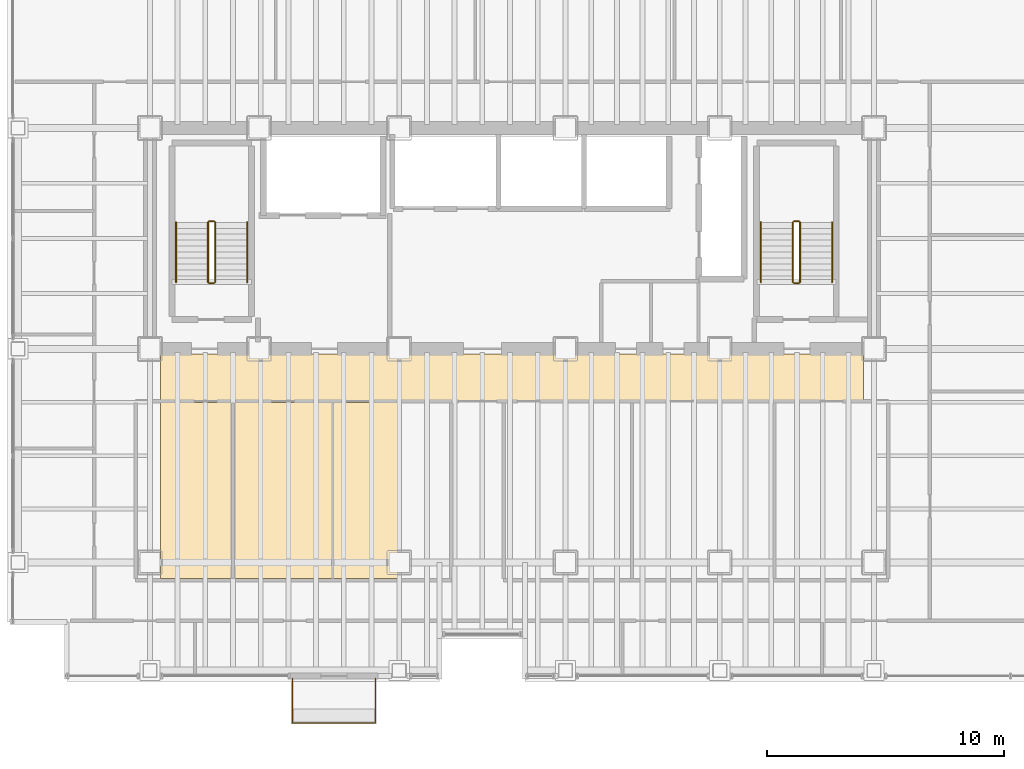
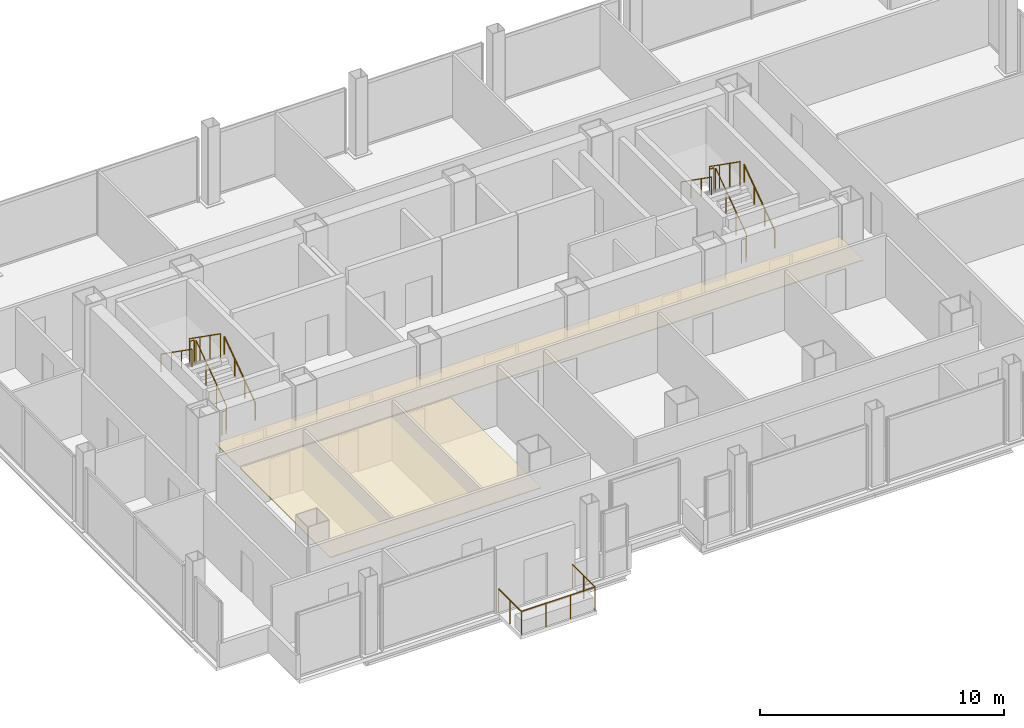
# One storey, part 20 of 20: 13 railings, 2 coverings.
"""IFC4 building model written with IfcOpenShell, lengths in metres."""

from ifc_helpers import new_model, si_unit, direction, frame, origin, origin_2d, place, context, subcontext, project, spatial, polyline, circle, outline, extrude, material, layer, layer_set, type_object, element, save


model = new_model("IFC4")

# Units and contexts
model_context = context("Model", 3, precision=1e-05, world=origin(), true_north=direction((0.0, 1.0)))
body_context = subcontext(model_context, "Body", "Model", "MODEL_VIEW")
ifc_project = project(units=[si_unit("LENGTHUNIT", "METRE"), si_unit("AREAUNIT", "SQUARE_METRE"), si_unit("VOLUMEUNIT", "CUBIC_METRE"), si_unit("PLANEANGLEUNIT", "RADIAN"), si_unit("MASSUNIT", "GRAM", prefix="KILO")], contexts=[model_context])

# Site, building, storey
site_placement = place(None, origin())
site = spatial("IfcSite", under=ifc_project, at=site_placement, CompositionType="ELEMENT")
building_placement = place(site_placement, origin())
building = spatial("IfcBuilding", under=site, at=building_placement, Name="Noeulbin Bourse Tower", CompositionType="ELEMENT")
storey_placement = place(building_placement, frame((0.0, 0.0, 61.60009765625)))
storey = spatial("IfcBuildingStorey", under=building, at=storey_placement, Name="L15", CompositionType="ELEMENT", Elevation=61.60009765625)

# Coverings
ifc_material_1 = material(Name="Perforated Mineral-Fibre Acoustic Tile")
ifc_layer_1 = layer(ifc_material_1, 0.0400390625)
ifc_layer_set_1 = layer_set([ifc_layer_1], Name="Perforated Mineral-Fibre Acoustic Tile")
covering_type = type_object("IfcCoveringType", Name="COV-CEIL-ACT", PredefinedType="CEILING", material=ifc_layer_set_1)
covering_1_placement = place(storey_placement, frame((0.0, 0.0, 2.10986328125)))
element("IfcCovering", 1, at=covering_1_placement, inside=storey, type_object=covering_type, Name="Corridor Suspended Ceiling L15", PredefinedType="CEILING", context=body_context, shape_type="SweptSolid", body=[
    extrude(outline(polyline([(13.949951171875, 26.820068359375), (43.550048828125, 26.820068359375), (43.550048828125, 28.780029296875), (13.949951171875, 28.780029296875), (13.949951171875, 26.820068359375)])), origin(), (0.0, 0.0, 1.0), 0.0400390625),
])
covering_2_placement = place(storey_placement, frame((0.0, 0.0, 2.10986328125)))
element("IfcCovering", 2, at=covering_2_placement, inside=storey, type_object=covering_type, Name="Trading Suite Acoustic Ceiling L15", PredefinedType="CEILING", context=body_context, shape_type="SweptSolid", body=[
    extrude(outline(polyline([(13.949951171875, 19.320068359375), (23.949951171875, 19.320068359375), (23.949951171875, 26.75), (13.949951171875, 26.75), (13.949951171875, 19.320068359375)])), origin(), (0.0, 0.0, 1.0), 0.0400390625),
])

# Railings
ifc_material_2 = material(Name="Laminated SentryGlas and Stainless Steel 316", Category="steel")
ifc_layer_2 = layer(ifc_material_2, 0.06005859375)
ifc_layer_set_2 = layer_set([ifc_layer_2], Name="Laminated SentryGlas and Stainless Steel 316")
railing_type_1 = type_object("IfcRailingType", Name="RLG-BAL-1200", PredefinedType="BALUSTRADE", material=ifc_layer_set_2)
railing_1_placement = place(storey_placement, frame((19.5, 15.1201171875, 0.0)))
element("IfcRailing", 3, at=railing_1_placement, inside=storey, type_object=railing_type_1, Name="Tree-Balcony Glazed Balustrade L15", PredefinedType="BALUSTRADE", context=body_context, shape_type="SweptSolid", body=[
    extrude(circle(Radius=0.02392578125, at=origin_2d()), frame((0.0, 0.0, 1.17578125), z_axis=(0.0, -1.0, 0.0), x_axis=(1.0, 0.0, 0.0)), (0.0, 0.0, 1.0), 1.8701171875),
    extrude(circle(Radius=0.02392578125, at=origin_2d()), frame((0.0, -1.8701171875, 1.17578125), z_axis=(1.0, 0.0, 0.0), x_axis=(0.0, 1.0, 0.0)), (0.0, 0.0, 1.0), 3.5),
    extrude(circle(Radius=0.02392578125, at=origin_2d()), frame((3.5, -1.8701171875, 1.17578125), z_axis=(0.0, 1.0, 0.0), x_axis=(-1.0, 0.0, 0.0)), (0.0, 0.0, 1.0), 1.8701171875),
    extrude(circle(Radius=0.02099609375, at=origin_2d()), origin(), (0.0, 0.0, 1.0), 1.15185546875),
    extrude(circle(Radius=0.02099609375, at=origin_2d()), frame((0.0, -0.93505859375, 0.0)), (0.0, 0.0, 1.0), 1.15185546875),
    extrude(circle(Radius=0.02099609375, at=origin_2d()), frame((0.0, -1.8701171875, 0.0)), (0.0, 0.0, 1.0), 1.15185546875),
    extrude(circle(Radius=0.02099609375, at=origin_2d()), frame((1.166748046875, -1.8701171875, 0.0)), (0.0, 0.0, 1.0), 1.15185546875),
    extrude(circle(Radius=0.02099609375, at=origin_2d()), frame((2.333251953125, -1.8701171875, 0.0)), (0.0, 0.0, 1.0), 1.15185546875),
    extrude(circle(Radius=0.02099609375, at=origin_2d()), frame((3.5, -1.8701171875, 0.0)), (0.0, 0.0, 1.0), 1.15185546875),
    extrude(circle(Radius=0.02099609375, at=origin_2d()), frame((3.5, -0.93505859375, 0.0)), (0.0, 0.0, 1.0), 1.15185546875),
    extrude(circle(Radius=0.02099609375, at=origin_2d()), frame((3.5, 0.0, 0.0)), (0.0, 0.0, 1.0), 1.15185546875),
])
ifc_material_3 = material(Name="Painted Tubular Steel S355", Category="steel")
ifc_layer_3 = layer(ifc_material_3, 0.048095703125)
ifc_layer_set_3 = layer_set([ifc_layer_3], Name="Painted Tubular Steel S355")
railing_type_2 = type_object("IfcRailingType", Name="RLG-STR-GRD", PredefinedType="GUARDRAIL", material=ifc_layer_set_3)
railing_2_placement = place(storey_placement, frame((16.25, 31.81005859375, 0.17724609375)))
element("IfcRailing", 4, at=railing_2_placement, inside=storey, type_object=railing_type_2, Name="L15 ST-1 stair guard 1", PredefinedType="GUARDRAIL", context=body_context, shape_type="SweptSolid", body=[
    extrude(circle(Radius=0.02392578125, at=origin_2d()), frame((0.0, 0.0, 1.17578125), z_axis=(0.0, 0.817904474719, 0.575354039036), x_axis=(-1.0, 0.0, 0.0)), (0.0, 0.0, 1.0), 3.0810546875),
    extrude(circle(Radius=0.02099609375, at=origin_2d()), origin(), (0.0, 0.0, 1.0), 1.15185546875),
    extrude(circle(Radius=0.02099609375, at=origin_2d()), frame((0.0, 0.840087890625, 0.5908203125)), (0.0, 0.0, 1.0), 1.15185546875),
    extrude(circle(Radius=0.02099609375, at=origin_2d()), frame((0.0, 1.679931640625, 1.181884765625)), (0.0, 0.0, 1.0), 1.15185546875),
    extrude(circle(Radius=0.02099609375, at=origin_2d()), frame((0.0, 2.52001953125, 1.772705078125)), (0.0, 0.0, 1.0), 1.15185546875),
])
railing_3_placement = place(storey_placement, frame((16.199951171875, 34.3798828125, 1.949951171875)))
element("IfcRailing", 5, at=railing_3_placement, inside=storey, type_object=railing_type_2, Name="L15 ST-1 stair guard 2", PredefinedType="GUARDRAIL", context=body_context, shape_type="SweptSolid", body=[
    extrude(circle(Radius=0.02392578125, at=origin_2d()), frame((0.0, 0.0, 1.17578125), z_axis=(-1.0, 0.0, 0.0), x_axis=(0.0, -1.0, 0.0)), (0.0, 0.0, 1.0), 0.199951171875),
    extrude(circle(Radius=0.02099609375, at=origin_2d()), origin(), (0.0, 0.0, 1.0), 1.15185546875),
    extrude(circle(Radius=0.02099609375, at=origin_2d()), frame((-0.199951171875, 0.0, 0.0)), (0.0, 0.0, 1.0), 1.15185546875),
])
railing_4_placement = place(storey_placement, frame((15.949951171875, 34.330078125, 2.127197265625)))
element("IfcRailing", 6, at=railing_4_placement, inside=storey, type_object=railing_type_2, Name="L15 ST-1 stair guard 3", PredefinedType="GUARDRAIL", context=body_context, shape_type="SweptSolid", body=[
    extrude(circle(Radius=0.02392578125, at=origin_2d()), frame((0.0, 0.0, 1.17578125), z_axis=(0.0, -0.817904474719, 0.575354039036), x_axis=(1.0, 0.0, 0.0)), (0.0, 0.0, 1.0), 3.0810546875),
    extrude(circle(Radius=0.02099609375, at=origin_2d()), origin(), (0.0, 0.0, 1.0), 1.15185546875),
    extrude(circle(Radius=0.02099609375, at=origin_2d()), frame((0.0, -0.840087890625, 0.5908203125)), (0.0, 0.0, 1.0), 1.15185546875),
    extrude(circle(Radius=0.02099609375, at=origin_2d()), frame((0.0, -1.679931640625, 1.181884765625)), (0.0, 0.0, 1.0), 1.15185546875),
    extrude(circle(Radius=0.02099609375, at=origin_2d()), frame((0.0, -2.52001953125, 1.772705078125)), (0.0, 0.0, 1.0), 1.15185546875),
])
railing_5_placement = place(storey_placement, frame((16.199951171875, 31.760009765625, 0.0)))
element("IfcRailing", 7, at=railing_5_placement, inside=storey, type_object=railing_type_2, Name="L15 ST-1 stair guard 4", PredefinedType="GUARDRAIL", context=body_context, shape_type="SweptSolid", body=[
    extrude(circle(Radius=0.02392578125, at=origin_2d()), frame((0.0, 0.0, 1.17578125), z_axis=(-1.0, 0.0, 0.0), x_axis=(0.0, -1.0, 0.0)), (0.0, 0.0, 1.0), 0.199951171875),
    extrude(circle(Radius=0.02099609375, at=origin_2d()), origin(), (0.0, 0.0, 1.0), 1.15185546875),
    extrude(circle(Radius=0.02099609375, at=origin_2d()), frame((-0.199951171875, 0.0, 0.0)), (0.0, 0.0, 1.0), 1.15185546875),
])
railing_6_placement = place(storey_placement, frame((40.8798828125, 31.81005859375, 0.17724609375)))
element("IfcRailing", 8, at=railing_6_placement, inside=storey, type_object=railing_type_2, Name="L15 ST-2 stair guard 1", PredefinedType="GUARDRAIL", context=body_context, shape_type="SweptSolid", body=[
    extrude(circle(Radius=0.02392578125, at=origin_2d()), frame((0.0, 0.0, 1.17578125), z_axis=(0.0, 0.817904474719, 0.575354039036), x_axis=(-1.0, 0.0, 0.0)), (0.0, 0.0, 1.0), 3.0810546875),
    extrude(circle(Radius=0.02099609375, at=origin_2d()), origin(), (0.0, 0.0, 1.0), 1.15185546875),
    extrude(circle(Radius=0.02099609375, at=origin_2d()), frame((0.0, 0.840087890625, 0.5908203125)), (0.0, 0.0, 1.0), 1.15185546875),
    extrude(circle(Radius=0.02099609375, at=origin_2d()), frame((0.0, 1.679931640625, 1.181884765625)), (0.0, 0.0, 1.0), 1.15185546875),
    extrude(circle(Radius=0.02099609375, at=origin_2d()), frame((0.0, 2.52001953125, 1.772705078125)), (0.0, 0.0, 1.0), 1.15185546875),
])
railing_7_placement = place(storey_placement, frame((40.830078125, 34.3798828125, 1.949951171875)))
element("IfcRailing", 9, at=railing_7_placement, inside=storey, type_object=railing_type_2, Name="L15 ST-2 stair guard 2", PredefinedType="GUARDRAIL", context=body_context, shape_type="SweptSolid", body=[
    extrude(circle(Radius=0.02392578125, at=origin_2d()), frame((0.0, 0.0, 1.17578125), z_axis=(-1.0, 0.0, 0.0), x_axis=(0.0, -1.0, 0.0)), (0.0, 0.0, 1.0), 0.2001953125),
    extrude(circle(Radius=0.02099609375, at=origin_2d()), origin(), (0.0, 0.0, 1.0), 1.15185546875),
    extrude(circle(Radius=0.02099609375, at=origin_2d()), frame((-0.2001953125, 0.0, 0.0)), (0.0, 0.0, 1.0), 1.15185546875),
])
railing_8_placement = place(storey_placement, frame((40.580078125, 34.330078125, 2.127197265625)))
element("IfcRailing", 10, at=railing_8_placement, inside=storey, type_object=railing_type_2, Name="L15 ST-2 stair guard 3", PredefinedType="GUARDRAIL", context=body_context, shape_type="SweptSolid", body=[
    extrude(circle(Radius=0.02392578125, at=origin_2d()), frame((0.0, 0.0, 1.17578125), z_axis=(0.0, -0.817904474719, 0.575354039036), x_axis=(1.0, 0.0, 0.0)), (0.0, 0.0, 1.0), 3.0810546875),
    extrude(circle(Radius=0.02099609375, at=origin_2d()), origin(), (0.0, 0.0, 1.0), 1.15185546875),
    extrude(circle(Radius=0.02099609375, at=origin_2d()), frame((0.0, -0.840087890625, 0.5908203125)), (0.0, 0.0, 1.0), 1.15185546875),
    extrude(circle(Radius=0.02099609375, at=origin_2d()), frame((0.0, -1.679931640625, 1.181884765625)), (0.0, 0.0, 1.0), 1.15185546875),
    extrude(circle(Radius=0.02099609375, at=origin_2d()), frame((0.0, -2.52001953125, 1.772705078125)), (0.0, 0.0, 1.0), 1.15185546875),
])
railing_9_placement = place(storey_placement, frame((40.830078125, 31.760009765625, 0.0)))
element("IfcRailing", 11, at=railing_9_placement, inside=storey, type_object=railing_type_2, Name="L15 ST-2 stair guard 4", PredefinedType="GUARDRAIL", context=body_context, shape_type="SweptSolid", body=[
    extrude(circle(Radius=0.02392578125, at=origin_2d()), frame((0.0, 0.0, 1.17578125), z_axis=(-1.0, 0.0, 0.0), x_axis=(0.0, -1.0, 0.0)), (0.0, 0.0, 1.0), 0.2001953125),
    extrude(circle(Radius=0.02099609375, at=origin_2d()), origin(), (0.0, 0.0, 1.0), 1.15185546875),
    extrude(circle(Radius=0.02099609375, at=origin_2d()), frame((-0.2001953125, 0.0, 0.0)), (0.0, 0.0, 1.0), 1.15185546875),
])
ifc_material_4 = material(Name="Brushed Stainless Steel 316", Category="steel")
ifc_layer_4 = layer(ifc_material_4, 0.048095703125)
ifc_layer_set_4 = layer_set([ifc_layer_4], Name="Brushed Stainless Steel 316")
railing_type_3 = type_object("IfcRailingType", Name="RLG-STR-HND", PredefinedType="HANDRAIL", material=ifc_layer_set_4)
railing_10_placement = place(storey_placement, frame((17.60009765625, 31.81005859375, 0.17724609375)))
element("IfcRailing", 12, at=railing_10_placement, inside=storey, type_object=railing_type_3, Name="L15 ST-1 stair handrail 1", PredefinedType="HANDRAIL", context=body_context, shape_type="SweptSolid", body=[
    extrude(circle(Radius=0.02392578125, at=origin_2d()), frame((0.0, 0.0, 0.8759765625), z_axis=(0.0, 0.817904474719, 0.575354039036), x_axis=(-1.0, 0.0, 0.0)), (0.0, 0.0, 1.0), 3.0810546875),
    extrude(circle(Radius=0.02099609375, at=origin_2d()), origin(), (0.0, 0.0, 1.0), 0.851806640625),
    extrude(circle(Radius=0.02099609375, at=origin_2d()), frame((0.0, 0.840087890625, 0.5908203125)), (0.0, 0.0, 1.0), 0.851806640625),
    extrude(circle(Radius=0.02099609375, at=origin_2d()), frame((0.0, 1.679931640625, 1.181884765625)), (0.0, 0.0, 1.0), 0.851806640625),
    extrude(circle(Radius=0.02099609375, at=origin_2d()), frame((0.0, 2.52001953125, 1.772705078125)), (0.0, 0.0, 1.0), 0.851806640625),
])
railing_11_placement = place(storey_placement, frame((14.60009765625, 34.330078125, 2.127197265625)))
element("IfcRailing", 13, at=railing_11_placement, inside=storey, type_object=railing_type_3, Name="L15 ST-1 stair handrail 2", PredefinedType="HANDRAIL", context=body_context, shape_type="SweptSolid", body=[
    extrude(circle(Radius=0.02392578125, at=origin_2d()), frame((0.0, 0.0, 0.8759765625), z_axis=(0.0, -0.817904474719, 0.575354039036), x_axis=(1.0, 0.0, 0.0)), (0.0, 0.0, 1.0), 3.0810546875),
    extrude(circle(Radius=0.02099609375, at=origin_2d()), origin(), (0.0, 0.0, 1.0), 0.851806640625),
    extrude(circle(Radius=0.02099609375, at=origin_2d()), frame((0.0, -0.840087890625, 0.5908203125)), (0.0, 0.0, 1.0), 0.851806640625),
    extrude(circle(Radius=0.02099609375, at=origin_2d()), frame((0.0, -1.679931640625, 1.181884765625)), (0.0, 0.0, 1.0), 0.851806640625),
    extrude(circle(Radius=0.02099609375, at=origin_2d()), frame((0.0, -2.52001953125, 1.772705078125)), (0.0, 0.0, 1.0), 0.851806640625),
])
railing_12_placement = place(storey_placement, frame((42.22998046875, 31.81005859375, 0.17724609375)))
element("IfcRailing", 14, at=railing_12_placement, inside=storey, type_object=railing_type_3, Name="L15 ST-2 stair handrail 1", PredefinedType="HANDRAIL", context=body_context, shape_type="SweptSolid", body=[
    extrude(circle(Radius=0.02392578125, at=origin_2d()), frame((0.0, 0.0, 0.8759765625), z_axis=(0.0, 0.817904474719, 0.575354039036), x_axis=(-1.0, 0.0, 0.0)), (0.0, 0.0, 1.0), 3.0810546875),
    extrude(circle(Radius=0.02099609375, at=origin_2d()), origin(), (0.0, 0.0, 1.0), 0.851806640625),
    extrude(circle(Radius=0.02099609375, at=origin_2d()), frame((0.0, 0.840087890625, 0.5908203125)), (0.0, 0.0, 1.0), 0.851806640625),
    extrude(circle(Radius=0.02099609375, at=origin_2d()), frame((0.0, 1.679931640625, 1.181884765625)), (0.0, 0.0, 1.0), 0.851806640625),
    extrude(circle(Radius=0.02099609375, at=origin_2d()), frame((0.0, 2.52001953125, 1.772705078125)), (0.0, 0.0, 1.0), 0.851806640625),
])
railing_13_placement = place(storey_placement, frame((39.22998046875, 34.330078125, 2.127197265625)))
element("IfcRailing", 15, at=railing_13_placement, inside=storey, type_object=railing_type_3, Name="L15 ST-2 stair handrail 2", PredefinedType="HANDRAIL", context=body_context, shape_type="SweptSolid", body=[
    extrude(circle(Radius=0.02392578125, at=origin_2d()), frame((0.0, 0.0, 0.8759765625), z_axis=(0.0, -0.817904474719, 0.575354039036), x_axis=(1.0, 0.0, 0.0)), (0.0, 0.0, 1.0), 3.0810546875),
    extrude(circle(Radius=0.02099609375, at=origin_2d()), origin(), (0.0, 0.0, 1.0), 0.851806640625),
    extrude(circle(Radius=0.02099609375, at=origin_2d()), frame((0.0, -0.840087890625, 0.5908203125)), (0.0, 0.0, 1.0), 0.851806640625),
    extrude(circle(Radius=0.02099609375, at=origin_2d()), frame((0.0, -1.679931640625, 1.181884765625)), (0.0, 0.0, 1.0), 0.851806640625),
    extrude(circle(Radius=0.02099609375, at=origin_2d()), frame((0.0, -2.52001953125, 1.772705078125)), (0.0, 0.0, 1.0), 0.851806640625),
])

save(model, "model.ifc")
